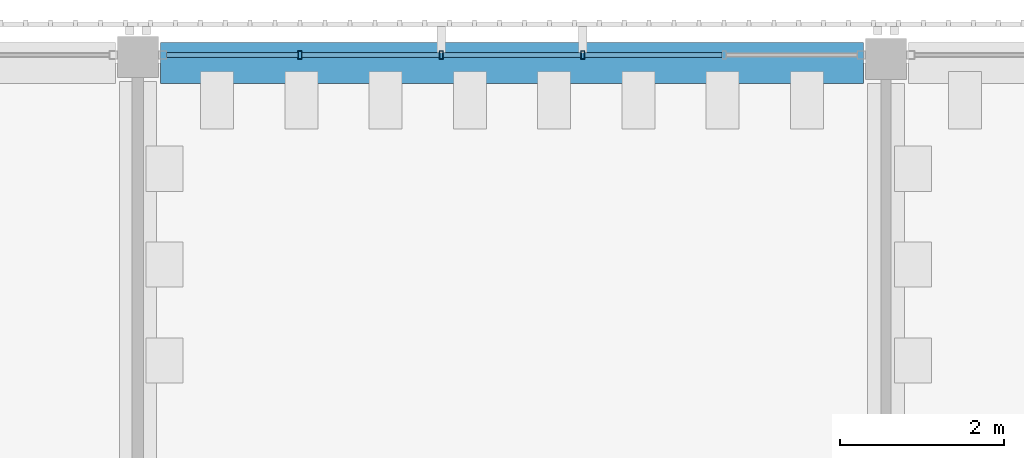
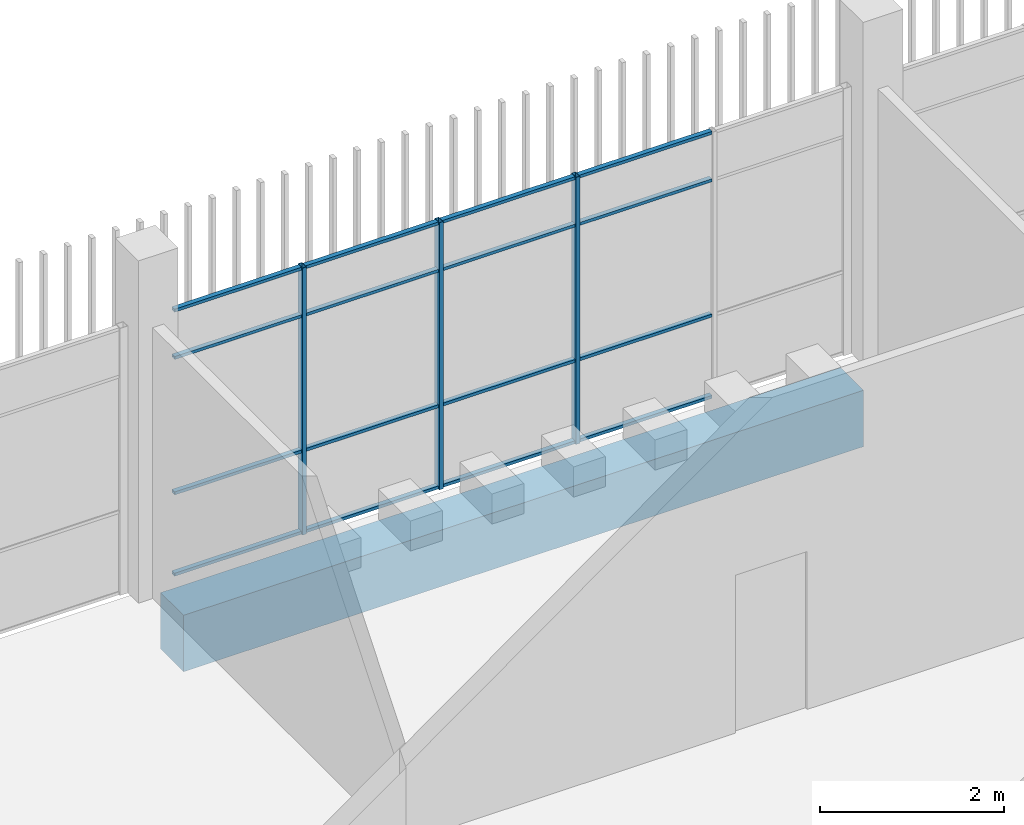
# One storey, part 45 of 139: 19 members, 1 beam, 1 element without a shape of its own.
"""IFC4 building model written with IfcOpenShell, lengths in metres."""

from ifc_helpers import new_model, si_unit, direction, frame, origin, origin_2d, place, context, subcontext, project, spatial, rectangle, hollow_rectangle, extrude, material, layer, layer_set, material_profile, profile_set, type_object, element, aggregate, save


model = new_model("IFC4")

# Units and contexts
model_context = context("Model", 3, precision=1e-05, world=origin(), true_north=direction((0.0, 1.0)))
body_context = subcontext(model_context, "Body", "Model", "MODEL_VIEW")
ifc_project = project(units=[si_unit("LENGTHUNIT", "METRE"), si_unit("AREAUNIT", "SQUARE_METRE"), si_unit("VOLUMEUNIT", "CUBIC_METRE"), si_unit("PLANEANGLEUNIT", "RADIAN"), si_unit("MASSUNIT", "GRAM", prefix="KILO")], contexts=[model_context])

# Site, building, storey
site_placement = place(None, origin())
site = spatial("IfcSite", under=ifc_project, at=site_placement, CompositionType="ELEMENT")
building_placement = place(site_placement, origin())
building = spatial("IfcBuilding", under=site, at=building_placement, Name="Shirokan Park Arena", CompositionType="ELEMENT")
storey_placement = place(building_placement, frame((0.0, 0.0, 15.469970703125)))
storey = spatial("IfcBuildingStorey", under=building, at=storey_placement, Name="L03", CompositionType="ELEMENT", Elevation=15.469970703125)

# Curtain wall, members
ifc_material_1 = material(Name="Steel and glass curtain wall", Category="steel")
ifc_layer = layer(ifc_material_1, 0.10009765625)
ifc_layer_set = layer_set([ifc_layer], Name="Steel and glass curtain wall 100 mm")
curtain_wall_type = type_object("IfcCurtainWallType", Name="Curtain wall sheltered bay 100", PredefinedType="NOTDEFINED", material=ifc_layer_set)
curtain_wall_placement = place(storey_placement, origin())
curtain_wall = element("IfcCurtainWall", 1, at=curtain_wall_placement, inside=storey, type_object=curtain_wall_type, Name="Curtain wall north bay 8 L03", PredefinedType="NOTDEFINED")
ifc_material_2 = material(Name="Steel S355", Category="steel")
ifc_material_profile_1 = material_profile(ifc_material_2, hollow_rectangle(XDim=0.10009765625, YDim=0.050048828125, WallThickness=0.0048828125, at=origin_2d()), Name="RHS 100x50x5")
ifc_profile_set_1 = profile_set([ifc_material_profile_1], Name="Steel S355")
member_type_1 = type_object("IfcMemberType", Name="Mullion RHS 100x50x5", PredefinedType="MULLION", material=ifc_profile_set_1)
member_1_placement = place(storey_placement, frame((78.2099609375, 109.300048828125, 0.0), z_axis=(0.0, 0.0, 1.0), x_axis=(0.0, -1.0, 0.0)))
member_1 = element("IfcMember", 2, at=member_1_placement, type_object=member_type_1, Name="CW2 mullion 3", PredefinedType="MULLION", context=body_context, shape_type="SweptSolid", body=[
    extrude(hollow_rectangle(XDim=0.10009765625, YDim=0.050048828125, WallThickness=0.0048828125, at=origin_2d()), origin(), (0.0, 0.0, 1.0), 3.550048828125),
])
member_2_placement = place(storey_placement, frame((76.489990234375, 109.300048828125, 0.0), z_axis=(0.0, 0.0, 1.0), x_axis=(0.0, -1.0, 0.0)))
member_2 = element("IfcMember", 3, at=member_2_placement, type_object=member_type_1, Name="CW2 mullion 4", PredefinedType="MULLION", context=body_context, shape_type="SweptSolid", body=[
    extrude(hollow_rectangle(XDim=0.10009765625, YDim=0.050048828125, WallThickness=0.0048828125, at=origin_2d()), origin(), (0.0, 0.0, 1.0), 3.550048828125),
])
member_3_placement = place(storey_placement, frame((74.77001953125, 109.300048828125, 0.0), z_axis=(0.0, 0.0, 1.0), x_axis=(0.0, -1.0, 0.0)))
member_3 = element("IfcMember", 4, at=member_3_placement, type_object=member_type_1, Name="CW2 mullion 5", PredefinedType="MULLION", context=body_context, shape_type="SweptSolid", body=[
    extrude(hollow_rectangle(XDim=0.10009765625, YDim=0.050048828125, WallThickness=0.0048828125, at=origin_2d()), origin(), (0.0, 0.0, 1.0), 3.550048828125),
])

# Beam
ifc_material_3 = material(Name="Concrete C35", Category="concrete")
ifc_material_profile_2 = material_profile(ifc_material_3, rectangle(XDim=0.5, YDim=0.75, at=origin_2d()), Name="500x750")
ifc_profile_set_2 = profile_set([ifc_material_profile_2], Name="Concrete C35")
beam_type = type_object("IfcBeamType", Name="RC girder 500x750", PredefinedType="BEAM", material=ifc_profile_set_2)
beam_placement = place(storey_placement, frame((73.0751953125, 109.199951171875, -0.675048828125), z_axis=(1.0, 0.0, 0.0), x_axis=(0.0, 1.0, 0.0)))
element("IfcBeam", 5, at=beam_placement, inside=storey, type_object=beam_type, Name="Girder 9N-10N L03", PredefinedType="BEAM", context=body_context, shape_type="SweptSolid", body=[
    extrude(rectangle(XDim=0.5, YDim=0.75, at=origin_2d()), origin(), (0.0, 0.0, 1.0), 8.5498046875),
])

# Member
ifc_material_profile_3 = material_profile(ifc_material_2, hollow_rectangle(XDim=0.06005859375, YDim=0.0400390625, WallThickness=0.00390625, at=origin_2d()), Name="RHS 60x40x4")
ifc_profile_set_3 = profile_set([ifc_material_profile_3], Name="Steel S355")
member_type_2 = type_object("IfcMemberType", Name="Transom RHS 60x40x4", PredefinedType="MULLION", material=ifc_profile_set_3)
member_4_placement = place(storey_placement, frame((79.905029296875, 109.300048828125, 0.02001953125), z_axis=(-1.0, 0.0, 0.0), x_axis=(0.0, -1.0, 0.0)))
member_4 = element("IfcMember", 6, at=member_4_placement, type_object=member_type_2, Name="CW2 transom 2.1", PredefinedType="MULLION", context=body_context, shape_type="SweptSolid", body=[
    extrude(hollow_rectangle(XDim=0.06005859375, YDim=0.0400390625, WallThickness=0.00390625, at=origin_2d()), origin(), (0.0, 0.0, 1.0), 1.669921875),
])

member_5_placement = place(storey_placement, frame((79.905029296875, 109.300048828125, 1.10009765625), z_axis=(-1.0, 0.0, 0.0), x_axis=(0.0, -1.0, 0.0)))
member_5 = element("IfcMember", 7, at=member_5_placement, type_object=member_type_2, Name="CW2 transom 2.2", PredefinedType="MULLION", context=body_context, shape_type="SweptSolid", body=[
    extrude(hollow_rectangle(XDim=0.06005859375, YDim=0.0400390625, WallThickness=0.00390625, at=origin_2d()), origin(), (0.0, 0.0, 1.0), 1.669921875),
])

member_6_placement = place(storey_placement, frame((79.905029296875, 109.300048828125, 2.900146484375), z_axis=(-1.0, 0.0, 0.0), x_axis=(0.0, -1.0, 0.0)))
member_6 = element("IfcMember", 8, at=member_6_placement, type_object=member_type_2, Name="CW2 transom 2.3", PredefinedType="MULLION", context=body_context, shape_type="SweptSolid", body=[
    extrude(hollow_rectangle(XDim=0.06005859375, YDim=0.0400390625, WallThickness=0.00390625, at=origin_2d()), origin(), (0.0, 0.0, 1.0), 1.669921875),
])

member_7_placement = place(storey_placement, frame((79.905029296875, 109.300048828125, 3.530029296875), z_axis=(-1.0, 0.0, 0.0), x_axis=(0.0, -1.0, 0.0)))
member_7 = element("IfcMember", 9, at=member_7_placement, type_object=member_type_2, Name="CW2 transom 2.4", PredefinedType="MULLION", context=body_context, shape_type="SweptSolid", body=[
    extrude(hollow_rectangle(XDim=0.06005859375, YDim=0.0400390625, WallThickness=0.00390625, at=origin_2d()), origin(), (0.0, 0.0, 1.0), 1.669921875),
])

member_8_placement = place(storey_placement, frame((78.18505859375, 109.300048828125, 0.02001953125), z_axis=(-1.0, 0.0, 0.0), x_axis=(0.0, -1.0, 0.0)))
member_8 = element("IfcMember", 10, at=member_8_placement, type_object=member_type_2, Name="CW2 transom 3.1", PredefinedType="MULLION", context=body_context, shape_type="SweptSolid", body=[
    extrude(hollow_rectangle(XDim=0.06005859375, YDim=0.0400390625, WallThickness=0.00390625, at=origin_2d()), origin(), (0.0, 0.0, 1.0), 1.670166015625),
])

member_9_placement = place(storey_placement, frame((78.18505859375, 109.300048828125, 1.10009765625), z_axis=(-1.0, 0.0, 0.0), x_axis=(0.0, -1.0, 0.0)))
member_9 = element("IfcMember", 11, at=member_9_placement, type_object=member_type_2, Name="CW2 transom 3.2", PredefinedType="MULLION", context=body_context, shape_type="SweptSolid", body=[
    extrude(hollow_rectangle(XDim=0.06005859375, YDim=0.0400390625, WallThickness=0.00390625, at=origin_2d()), origin(), (0.0, 0.0, 1.0), 1.670166015625),
])

member_10_placement = place(storey_placement, frame((78.18505859375, 109.300048828125, 2.900146484375), z_axis=(-1.0, 0.0, 0.0), x_axis=(0.0, -1.0, 0.0)))
member_10 = element("IfcMember", 12, at=member_10_placement, type_object=member_type_2, Name="CW2 transom 3.3", PredefinedType="MULLION", context=body_context, shape_type="SweptSolid", body=[
    extrude(hollow_rectangle(XDim=0.06005859375, YDim=0.0400390625, WallThickness=0.00390625, at=origin_2d()), origin(), (0.0, 0.0, 1.0), 1.670166015625),
])

member_11_placement = place(storey_placement, frame((78.18505859375, 109.300048828125, 3.530029296875), z_axis=(-1.0, 0.0, 0.0), x_axis=(0.0, -1.0, 0.0)))
member_11 = element("IfcMember", 13, at=member_11_placement, type_object=member_type_2, Name="CW2 transom 3.4", PredefinedType="MULLION", context=body_context, shape_type="SweptSolid", body=[
    extrude(hollow_rectangle(XDim=0.06005859375, YDim=0.0400390625, WallThickness=0.00390625, at=origin_2d()), origin(), (0.0, 0.0, 1.0), 1.670166015625),
])

member_12_placement = place(storey_placement, frame((76.465087890625, 109.300048828125, 0.02001953125), z_axis=(-1.0, 0.0, 0.0), x_axis=(0.0, -1.0, 0.0)))
member_12 = element("IfcMember", 14, at=member_12_placement, type_object=member_type_2, Name="CW2 transom 4.1", PredefinedType="MULLION", context=body_context, shape_type="SweptSolid", body=[
    extrude(hollow_rectangle(XDim=0.06005859375, YDim=0.0400390625, WallThickness=0.00390625, at=origin_2d()), origin(), (0.0, 0.0, 1.0), 1.670166015625),
])

member_13_placement = place(storey_placement, frame((76.465087890625, 109.300048828125, 1.10009765625), z_axis=(-1.0, 0.0, 0.0), x_axis=(0.0, -1.0, 0.0)))
member_13 = element("IfcMember", 15, at=member_13_placement, type_object=member_type_2, Name="CW2 transom 4.2", PredefinedType="MULLION", context=body_context, shape_type="SweptSolid", body=[
    extrude(hollow_rectangle(XDim=0.06005859375, YDim=0.0400390625, WallThickness=0.00390625, at=origin_2d()), origin(), (0.0, 0.0, 1.0), 1.670166015625),
])

member_14_placement = place(storey_placement, frame((76.465087890625, 109.300048828125, 2.900146484375), z_axis=(-1.0, 0.0, 0.0), x_axis=(0.0, -1.0, 0.0)))
member_14 = element("IfcMember", 16, at=member_14_placement, type_object=member_type_2, Name="CW2 transom 4.3", PredefinedType="MULLION", context=body_context, shape_type="SweptSolid", body=[
    extrude(hollow_rectangle(XDim=0.06005859375, YDim=0.0400390625, WallThickness=0.00390625, at=origin_2d()), origin(), (0.0, 0.0, 1.0), 1.670166015625),
])

member_15_placement = place(storey_placement, frame((76.465087890625, 109.300048828125, 3.530029296875), z_axis=(-1.0, 0.0, 0.0), x_axis=(0.0, -1.0, 0.0)))
member_15 = element("IfcMember", 17, at=member_15_placement, type_object=member_type_2, Name="CW2 transom 4.4", PredefinedType="MULLION", context=body_context, shape_type="SweptSolid", body=[
    extrude(hollow_rectangle(XDim=0.06005859375, YDim=0.0400390625, WallThickness=0.00390625, at=origin_2d()), origin(), (0.0, 0.0, 1.0), 1.670166015625),
])

member_16_placement = place(storey_placement, frame((74.7451171875, 109.300048828125, 0.02001953125), z_axis=(-1.0, 0.0, 0.0), x_axis=(0.0, -1.0, 0.0)))
member_16 = element("IfcMember", 18, at=member_16_placement, type_object=member_type_2, Name="CW2 transom 5.1", PredefinedType="MULLION", context=body_context, shape_type="SweptSolid", body=[
    extrude(hollow_rectangle(XDim=0.06005859375, YDim=0.0400390625, WallThickness=0.00390625, at=origin_2d()), origin(), (0.0, 0.0, 1.0), 1.59521484375),
])

member_17_placement = place(storey_placement, frame((74.7451171875, 109.300048828125, 1.10009765625), z_axis=(-1.0, 0.0, 0.0), x_axis=(0.0, -1.0, 0.0)))
member_17 = element("IfcMember", 19, at=member_17_placement, type_object=member_type_2, Name="CW2 transom 5.2", PredefinedType="MULLION", context=body_context, shape_type="SweptSolid", body=[
    extrude(hollow_rectangle(XDim=0.06005859375, YDim=0.0400390625, WallThickness=0.00390625, at=origin_2d()), origin(), (0.0, 0.0, 1.0), 1.59521484375),
])

member_18_placement = place(storey_placement, frame((74.7451171875, 109.300048828125, 2.900146484375), z_axis=(-1.0, 0.0, 0.0), x_axis=(0.0, -1.0, 0.0)))
member_18 = element("IfcMember", 20, at=member_18_placement, type_object=member_type_2, Name="CW2 transom 5.3", PredefinedType="MULLION", context=body_context, shape_type="SweptSolid", body=[
    extrude(hollow_rectangle(XDim=0.06005859375, YDim=0.0400390625, WallThickness=0.00390625, at=origin_2d()), origin(), (0.0, 0.0, 1.0), 1.59521484375),
])

member_19_placement = place(storey_placement, frame((74.7451171875, 109.300048828125, 3.530029296875), z_axis=(-1.0, 0.0, 0.0), x_axis=(0.0, -1.0, 0.0)))
member_19 = element("IfcMember", 21, at=member_19_placement, type_object=member_type_2, Name="CW2 transom 5.4", PredefinedType="MULLION", context=body_context, shape_type="SweptSolid", body=[
    extrude(hollow_rectangle(XDim=0.06005859375, YDim=0.0400390625, WallThickness=0.00390625, at=origin_2d()), origin(), (0.0, 0.0, 1.0), 1.59521484375),
])

aggregate(curtain_wall, [member_1, member_2, member_3, member_4, member_5, member_6, member_7, member_8, member_9, member_10, member_11, member_12, member_13, member_14, member_15, member_16, member_17, member_18, member_19])

save(model, "model.ifc")
